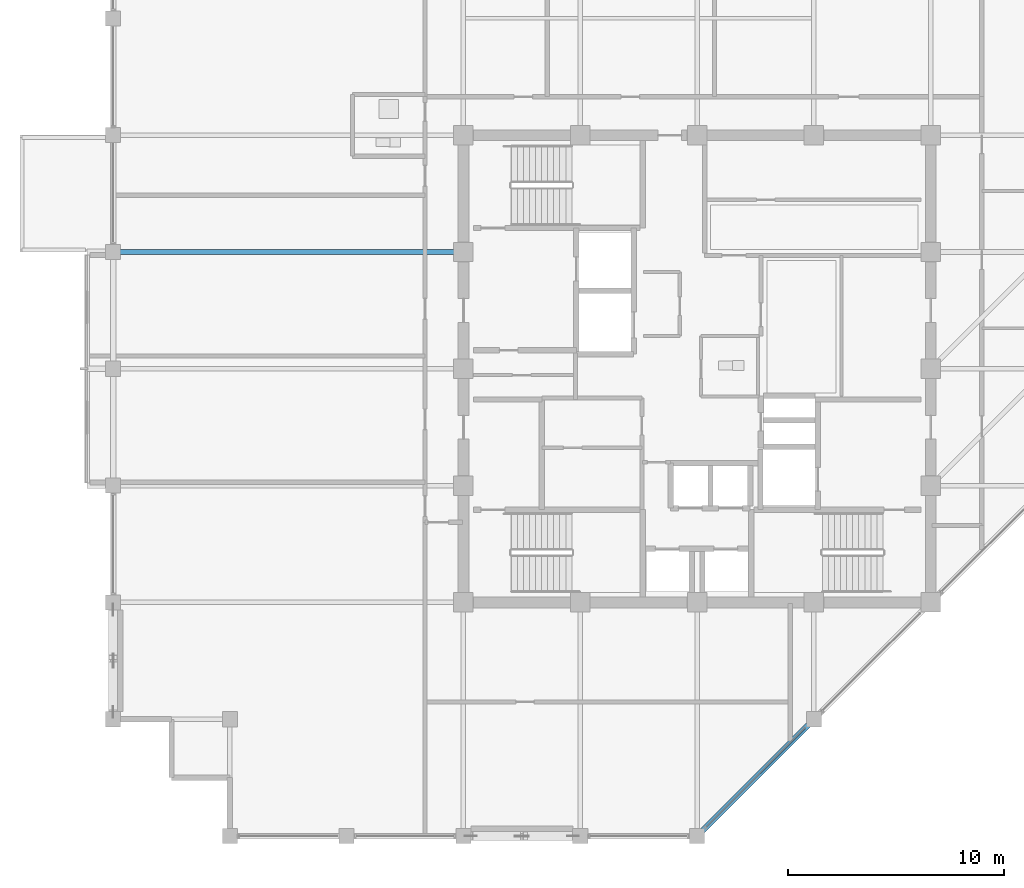
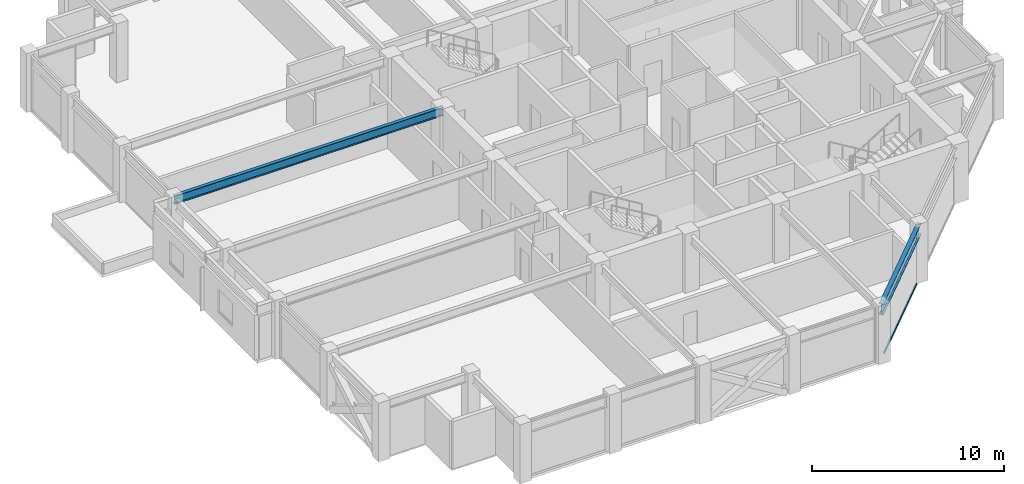
# One storey, part 8 of 31: 2 beams, 1 member, 1 element without a shape of its own.
"""IFC4 building model written with IfcOpenShell, lengths in metres."""

from ifc_helpers import new_model, si_unit, direction, frame, origin, origin_2d, place, context, subcontext, project, spatial, hollow_rectangle, i_section, extrude, material, layer, layer_set, material_profile, profile_set, type_object, element, aggregate, save


model = new_model("IFC4")

# Units and contexts
model_context = context("Model", 3, precision=1e-05, world=origin(), true_north=direction((0.0, 1.0)))
body_context = subcontext(model_context, "Body", "Model", "MODEL_VIEW")
ifc_project = project(units=[si_unit("LENGTHUNIT", "METRE"), si_unit("AREAUNIT", "SQUARE_METRE"), si_unit("VOLUMEUNIT", "CUBIC_METRE"), si_unit("PLANEANGLEUNIT", "RADIAN"), si_unit("MASSUNIT", "GRAM", prefix="KILO")], contexts=[model_context])

# Site, building, storey
site_placement = place(None, origin())
site = spatial("IfcSite", under=ifc_project, at=site_placement, CompositionType="ELEMENT")
building_placement = place(site_placement, origin())
building = spatial("IfcBuilding", under=site, at=building_placement, Name="Surkhivell Harbour Commons", CompositionType="ELEMENT")
storey_placement = place(building_placement, frame((0.0, 0.0, 270.0)))
storey = spatial("IfcBuildingStorey", under=building, at=storey_placement, Name="L70", CompositionType="ELEMENT", Elevation=270.0)

# Beams
ifc_material_1 = material(Name="Steel S355", Category="steel")
ifc_material_profile_1 = material_profile(ifc_material_1, i_section(OverallWidth=0.2099609375, OverallDepth=0.537109375, WebThickness=0.0107421875, FlangeThickness=0.017333984375, at=origin_2d()), Name="UB533x210x101")
ifc_profile_set_1 = profile_set([ifc_material_profile_1], Name="Steel S355")
beam_type_1 = type_object("IfcBeamType", Name="BM-GRD-533B", PredefinedType="BEAM", material=ifc_profile_set_1)
beam_1_placement = place(storey_placement, frame((-27.0, 5.39990234375, 3.301513671875), z_axis=(1.0, 0.0, 0.0), x_axis=(0.0, 1.0, 0.0)))
element("IfcBeam", 1, at=beam_1_placement, inside=storey, type_object=beam_type_1, Name="L70 Floor Girder (-27.0,5.4)", PredefinedType="BEAM", context=body_context, shape_type="SweptSolid", body=[
    extrude(i_section(OverallWidth=0.2099609375, OverallDepth=0.537109375, WebThickness=0.0107421875, FlangeThickness=0.017333984375, at=origin_2d()), origin(), (0.0, 0.0, 1.0), 16.199951171875),
])
ifc_material_profile_2 = material_profile(ifc_material_1, i_section(OverallWidth=0.256103515625, OverallDepth=0.693115234375, WebThickness=0.014404296875, FlangeThickness=0.023681640625, at=origin_2d()), Name="UB686x254x170")
ifc_profile_set_2 = profile_set([ifc_material_profile_2], Name="Steel S355")
beam_type_2 = type_object("IfcBeamType", Name="BM-SPN-686", PredefinedType="SPANDREL", material=ifc_profile_set_2)
beam_2_placement = place(storey_placement, frame((0.0, -21.60009765625, 3.223388671875), z_axis=(0.707090796496, 0.707122765516, 0.0), x_axis=(-0.707122765516, 0.707090796496, 0.0)))
element("IfcBeam", 2, at=beam_2_placement, inside=storey, type_object=beam_type_2, Name="L70 Tube Spandrel (-0.0,-21.6)", PredefinedType="SPANDREL", context=body_context, shape_type="SweptSolid", body=[
    extrude(i_section(OverallWidth=0.256103515625, OverallDepth=0.693115234375, WebThickness=0.014404296875, FlangeThickness=0.023681640625, at=origin_2d()), origin(), (0.0, 0.0, 1.0), 7.63671875),
])

# Curtain wall, member
ifc_material_2 = material(Name="Anodised pale-metal aluminium and insulated glazing", Category="aluminium")
ifc_layer = layer(ifc_material_2, 0.175048828125)
ifc_layer_set = layer_set([ifc_layer], Name="Anodised pale-metal aluminium and insulated glazing")
curtain_wall_type = type_object("IfcCurtainWallType", Name="CW-SYS-Z4", PredefinedType="NOTDEFINED", material=ifc_layer_set)
curtain_wall_placement = place(storey_placement, origin())
curtain_wall = element("IfcCurtainWall", 3, at=curtain_wall_placement, inside=storey, type_object=curtain_wall_type, Name="L70 Curtain Wall CW-L70-E01", PredefinedType="NOTDEFINED")
ifc_material_3 = material(Name="Champagne anodised aluminium alloy 6063-T6", Category="aluminium")
ifc_material_profile_3 = material_profile(ifc_material_3, hollow_rectangle(XDim=0.070068359375, YDim=0.1298828125, WallThickness=0.00341796875, at=origin_2d()), Name="ALU-TRAN-70x130")
ifc_profile_set_3 = profile_set([ifc_material_profile_3], Name="Champagne anodised aluminium alloy 6063-T6")
member_type = type_object("IfcMemberType", Name="CWT-130", PredefinedType="USERDEFINED", material=ifc_profile_set_3)
member_placement = place(storey_placement, frame((0.404541015625, -21.1953125, 0.06494140625), z_axis=(0.707125583467, 0.707087978406, 0.0), x_axis=(-0.707087978406, 0.707125583467, 0.0)))
member = element("IfcMember", 4, at=member_placement, type_object=member_type, Name="CW-Z4 transom 1.1", ObjectType="TRANSOM", PredefinedType="USERDEFINED", context=body_context, shape_type="SweptSolid", body=[
    extrude(hollow_rectangle(XDim=0.070068359375, YDim=0.1298828125, WallThickness=0.00341796875, at=origin_2d()), origin(), (0.0, 0.0, 1.0), 6.4921875),
])
aggregate(curtain_wall, [member])

save(model, "model.ifc")
